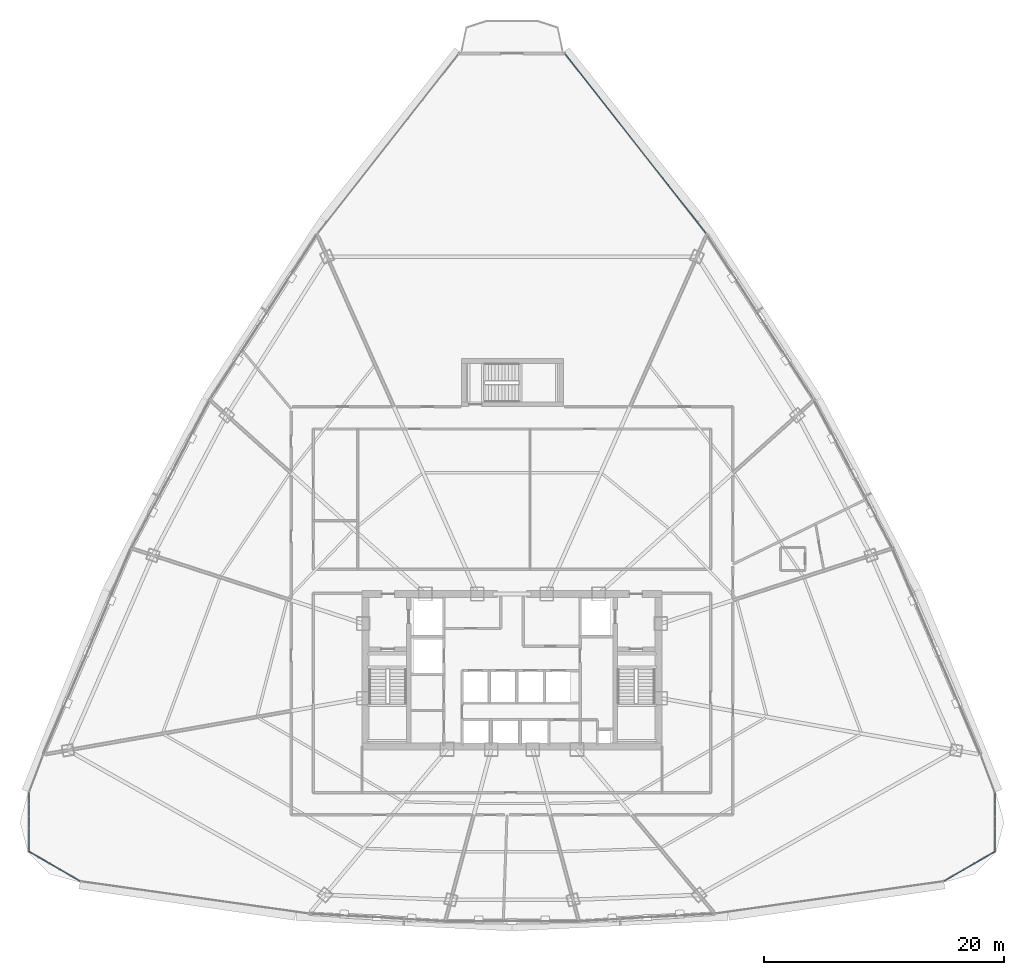
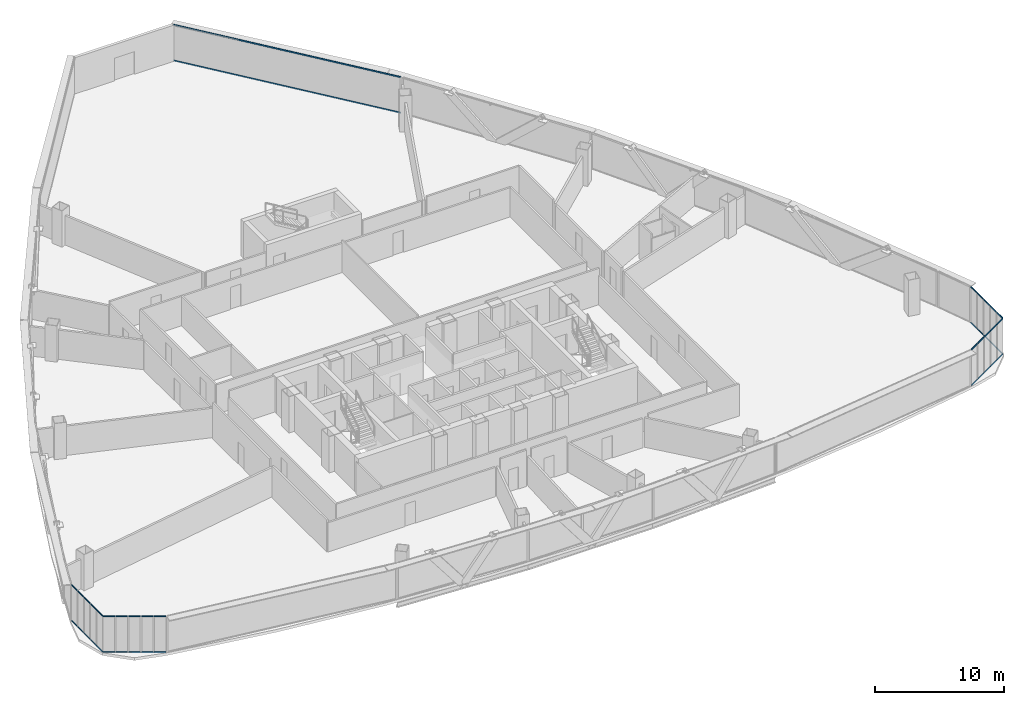
# One storey, part 30 of 42: 42 members, 5 elements without a shape of their own.
"""IFC4 building model written with IfcOpenShell, lengths in metres."""

import ifcopenshell
import ifcopenshell.guid

model = None  # the IFC model being written
_history = None  # IfcOwnerHistory: only IFC2X3 demands one
_inside = {}  # id of a spatial element -> (the spatial element, [elements in it])
_under = {}  # id of a project, library or spatial element -> (it, [spatial elements below it])
_declared = {}  # id of a project -> (the project, [libraries it declares])
_typed = {}  # id of a type object -> (the type object, [elements of that type])
_made_of = {}  # id of a material, layer set ... -> (it, [elements and type objects made of it])


def new_model(schema):
    """Start an empty IFC model of exactly this schema.

    Asked for "IFC4X3", IfcOpenShell would pick the latest addendum, in which some entities
    have other attributes; the version numbers below select the first issue.
    IFC2X3 requires an IfcOwnerHistory on every rooted entity: one is made here for all.
    """
    global model, _history
    if schema == "IFC4X3":
        model = ifcopenshell.file(schema_version=(4, 3, 0, 0))
    else:
        model = ifcopenshell.file(schema=schema)
    _inside.clear()
    _under.clear()
    _declared.clear()
    _typed.clear()
    _made_of.clear()
    _history = None
    if model.schema == "IFC2X3":
        org = make("IfcOrganization", Name="unknown")
        user = make(
            "IfcPersonAndOrganization",
            ThePerson=make("IfcPerson", FamilyName="unknown"),
            TheOrganization=org,
        )
        app = make(
            "IfcApplication",
            ApplicationDeveloper=org,
            Version="unknown",
            ApplicationFullName="unknown",
            ApplicationIdentifier="unknown",
        )
        _history = make(
            "IfcOwnerHistory",
            OwningUser=user,
            OwningApplication=app,
            ChangeAction="ADDED",
            CreationDate=0,
        )
    return model


def make(cls, **values):
    """One entity of the class cls with the attributes given. An attribute that is None is left unset."""
    return model.create_entity(
        cls, **{name: value for name, value in values.items() if value is not None}
    )


def rooted(cls, **values):
    """An entity with a GlobalId (a new one), such as an element, a storey or a relation."""
    return make(cls, GlobalId=ifcopenshell.guid.new(), OwnerHistory=_history, **values)


def si_unit(unit_type, name, prefix=None):
    """IfcSIUnit, for example si_unit("LENGTHUNIT", "METRE", prefix="MILLI")."""
    return make("IfcSIUnit", UnitType=unit_type, Prefix=prefix, Name=name)


def assignment(units):
    """IfcUnitAssignment: the units of a project."""
    return None if units is None else make("IfcUnitAssignment", Units=units)


def point(xyz):
    """IfcCartesianPoint."""
    return None if xyz is None else make("IfcCartesianPoint", Coordinates=xyz)


def direction(xyz):
    """IfcDirection."""
    return None if xyz is None else make("IfcDirection", DirectionRatios=xyz)


def frame(location, z_axis=None, x_axis=None):
    """IfcAxis2Placement3D, a coordinate frame: its origin and axes. An axis left out is left unset."""
    return make(
        "IfcAxis2Placement3D",
        Location=point(location),
        Axis=direction(z_axis),
        RefDirection=direction(x_axis),
    )


def frame_2d(location, x_axis=None):
    """IfcAxis2Placement2D, a coordinate frame in the plane: its origin and x axis."""
    return make(
        "IfcAxis2Placement2D", Location=point(location), RefDirection=direction(x_axis)
    )


def origin():
    """The frame at (0, 0, 0) with its axes left unset."""
    return frame((0.0, 0.0, 0.0))


def origin_2d():
    """The frame at (0, 0) in the plane with its x axis left unset."""
    return frame_2d((0.0, 0.0))


def place(relative_to, where):
    """IfcLocalPlacement: puts the frame where relative to a parent placement (None: the world)."""
    return make(
        "IfcLocalPlacement", PlacementRelTo=relative_to, RelativePlacement=where
    )


def context(
    kind, dimensions, precision=None, world=None, true_north=None, identifier=None
):
    """IfcGeometricRepresentationContext, for example the 3D "Model" context."""
    return make(
        "IfcGeometricRepresentationContext",
        ContextIdentifier=identifier,
        ContextType=kind,
        CoordinateSpaceDimension=dimensions,
        Precision=precision,
        WorldCoordinateSystem=world,
        TrueNorth=true_north,
    )


def subcontext(parent, identifier, kind, view, scale=None):
    """IfcGeometricRepresentationSubContext, for example "Body" below "Model"."""
    return make(
        "IfcGeometricRepresentationSubContext",
        ContextIdentifier=identifier,
        ContextType=kind,
        ParentContext=parent,
        TargetScale=scale,
        TargetView=view,
    )


def project(units=None, contexts=None):
    """IfcProject with its units and contexts."""
    return rooted(
        "IfcProject",
        Name="project",
        RepresentationContexts=contexts,
        UnitsInContext=assignment(units),
    )


def spatial(cls, under=None, at=None, **own):
    """A site, building, storey or space (cls), placed at a placement, below another one or the project."""
    s = rooted(cls, ObjectPlacement=at, **own)
    if under is not None:
        _under.setdefault(under.id(), (under, []))[1].append(s)
    return s


def profile(cls, at=None, kind="AREA", **sizes):
    """A parametric profile (cls). Its sizes go by their IFC names, for example OverallWidth=200.0."""
    return make(cls, ProfileType=kind, Position=at, **sizes)


def hollow_rectangle(**sizes):
    """IfcRectangleHollowProfileDef."""
    return profile("IfcRectangleHollowProfileDef", **sizes)


def extrude(swept, where, along, depth):
    """IfcExtrudedAreaSolid: the profile swept, set in the frame where, extruded along a direction by depth."""
    return make(
        "IfcExtrudedAreaSolid",
        SweptArea=swept,
        Position=where,
        ExtrudedDirection=direction(along),
        Depth=depth,
    )


def shape(context_of_items, identifier, shape_type, items):
    """IfcShapeRepresentation: the items that make up one representation, for example the "Body"."""
    return make(
        "IfcShapeRepresentation",
        ContextOfItems=context_of_items,
        RepresentationIdentifier=identifier,
        RepresentationType=shape_type,
        Items=items,
    )


def source(mapping_origin, context_of_items, identifier, shape_type, items):
    """IfcRepresentationMap: a shape defined once, which mapped items show again and again."""
    return make(
        "IfcRepresentationMap",
        MappingOrigin=mapping_origin,
        MappedRepresentation=shape(context_of_items, identifier, shape_type, items),
    )


def transform(
    local_origin,
    x_axis=None,
    y_axis=None,
    z_axis=None,
    scale=None,
    scale2=None,
    scale3=None,
    uniform=True,
):
    """IfcCartesianTransformationOperator3D, or its non-uniform kind. x_axis, y_axis, z_axis: its Axis1, 2, 3."""
    if uniform:
        return make(
            "IfcCartesianTransformationOperator3D",
            Axis1=direction(x_axis),
            Axis2=direction(y_axis),
            LocalOrigin=point(local_origin),
            Scale=scale,
            Axis3=direction(z_axis),
        )
    return make(
        "IfcCartesianTransformationOperator3DnonUniform",
        Axis1=direction(x_axis),
        Axis2=direction(y_axis),
        LocalOrigin=point(local_origin),
        Scale=scale,
        Axis3=direction(z_axis),
        Scale2=scale2,
        Scale3=scale3,
    )


def mapped(mapping_source, mapping_target):
    """IfcMappedItem: shows the shape of a source again, moved by a transform."""
    return make(
        "IfcMappedItem", MappingSource=mapping_source, MappingTarget=mapping_target
    )


def material(Name=None, Category=None):
    """IfcMaterial."""
    return make("IfcMaterial", Name=Name, Category=Category)


def layer(
    of_material, thickness, ventilated=None, Name=None, Category=None, Priority=None
):
    """IfcMaterialLayer: one layer of a wall or slab, of a material (None: an air gap)."""
    return make(
        "IfcMaterialLayer",
        Material=of_material,
        LayerThickness=thickness,
        IsVentilated=ventilated,
        Name=Name,
        Category=Category,
        Priority=Priority,
    )


def layer_set(layers, Name=None):
    """IfcMaterialLayerSet."""
    return make("IfcMaterialLayerSet", MaterialLayers=layers, LayerSetName=Name)


def material_profile(
    of_material, cross_section, Name=None, Category=None, Priority=None
):
    """IfcMaterialProfile: a cross section and its material."""
    return make(
        "IfcMaterialProfile",
        Name=Name,
        Material=of_material,
        Profile=cross_section,
        Priority=Priority,
        Category=Category,
    )


def profile_set(profiles, Name=None, composite=None):
    """IfcMaterialProfileSet."""
    return make(
        "IfcMaterialProfileSet",
        Name=Name,
        MaterialProfiles=profiles,
        CompositeProfile=composite,
    )


def made_of(thing, what):
    """Note that an element or type object is made of a material, layer set ...; save() writes the relation."""
    if what is not None:
        _made_of.setdefault(what.id(), (what, []))[1].append(thing)
    return thing


def type_object(cls, material=None, **own):
    """A type object (cls), such as IfcWallType, which elements share."""
    return made_of(rooted(cls, **own), material)


def element(
    cls,
    number,
    at=None,
    inside=None,
    cuts=None,
    type_object=None,
    material=None,
    context=None,
    identifier="Body",
    shape_type=None,
    held_by="IfcProductDefinitionShape",
    body=None,
    shapes=None,
    **own,
):
    """One element of the class cls, such as IfcWall. Its Tag is "e" and its number.

    at: its placement. inside: the storey or other place that contains it. cuts: it is an
    opening in that element (IfcRelVoidsElement). A single representation is given by context,
    identifier, shape_type and body (its items); several are given by shapes. held_by: the class
    of the entity that holds the representations. save() writes the other relations.
    """
    e = rooted(cls, Tag="e%d" % number, ObjectPlacement=at, **own)
    if body is not None:
        shapes = [shape(context, identifier, shape_type, body)]
    if shapes is not None:
        e.Representation = make(held_by, Representations=shapes)
    if inside is not None:
        _inside.setdefault(inside.id(), (inside, []))[1].append(e)
    if cuts is not None:
        rooted(
            "IfcRelVoidsElement", RelatingBuildingElement=cuts, RelatedOpeningElement=e
        )
    if type_object is not None:
        _typed.setdefault(type_object.id(), (type_object, []))[1].append(e)
    return made_of(e, material)


def aggregate(whole, parts):
    """IfcRelAggregates: a whole, such as a stair, and the parts it consists of."""
    return rooted("IfcRelAggregates", RelatingObject=whole, RelatedObjects=parts)


def save(model, path):
    """Write the relations noted so far, then the file.

    IfcRelAggregates (storeys below a building ...), IfcRelContainedInSpatialStructure (elements
    in a storey), IfcRelDefinesByType, IfcRelAssociatesMaterial and IfcRelDeclares: one each for
    every whole, place, type object, material and project.
    """
    for whole, parts in _under.values():
        aggregate(whole, parts)
    for where, things in _inside.values():
        rooted(
            "IfcRelContainedInSpatialStructure",
            RelatedElements=things,
            RelatingStructure=where,
        )
    for kind, things in _typed.values():
        rooted("IfcRelDefinesByType", RelatedObjects=things, RelatingType=kind)
    for what, things in _made_of.values():
        rooted("IfcRelAssociatesMaterial", RelatedObjects=things, RelatingMaterial=what)
    for by, libraries in _declared.values():
        rooted("IfcRelDeclares", RelatingContext=by, RelatedDefinitions=libraries)
    model.write(path)


model = new_model("IFC4")

# Units and contexts
model_context = context("Model", 3, precision=1e-05, world=origin(), true_north=direction((0.0, 1.0)))
body_context = subcontext(model_context, "Body", "Model", "MODEL_VIEW")
ifc_project = project(units=[si_unit("LENGTHUNIT", "METRE"), si_unit("AREAUNIT", "SQUARE_METRE"), si_unit("VOLUMEUNIT", "CUBIC_METRE"), si_unit("PLANEANGLEUNIT", "RADIAN"), si_unit("MASSUNIT", "GRAM", prefix="KILO"), si_unit("THERMODYNAMICTEMPERATUREUNIT", "KELVIN"), si_unit("POWERUNIT", "WATT")], contexts=[model_context])

# Site, building, storey
site_placement = place(None, origin())
site = spatial("IfcSite", under=ifc_project, at=site_placement, CompositionType="ELEMENT")
building_placement = place(site_placement, origin())
building = spatial("IfcBuilding", under=site, at=building_placement, Name="Yunzhuo Pagoda Commons", CompositionType="ELEMENT")
storey_placement = place(building_placement, frame((0.0, 0.0, 137.18994140625)))
storey = spatial("IfcBuildingStorey", under=building, at=storey_placement, Name="L34", CompositionType="ELEMENT", Elevation=137.18994140625)

# Curtain wall, members
ifc_material = material(Name="Anodized aluminium 6063-T6", Category="aluminium")
ifc_layer_1 = layer(ifc_material, 0.14990234375)
ifc_layer_set_1 = layer_set([ifc_layer_1], Name="Anodized aluminium 6063-T6")
curtain_wall_type_1 = type_object("IfcCurtainWallType", Name="CW-MID Mid-Zone Ribbon Curtain Wall", PredefinedType="NOTDEFINED", material=ifc_layer_set_1)
curtain_wall_1_placement = place(storey_placement, origin())
curtain_wall_1 = element("IfcCurtainWall", 1, at=curtain_wall_1_placement, inside=storey, type_object=curtain_wall_type_1, Name="L34 curtain wall CW-L34-F2B5", PredefinedType="NOTDEFINED")
ifc_material_profile_1 = material_profile(ifc_material, hollow_rectangle(XDim=0.054931640625, YDim=0.1298828125, WallThickness=0.00341796875, at=origin_2d()), Name="Anodized aluminium 6063-T6")
ifc_profile_set_1 = profile_set([ifc_material_profile_1], Name="Anodized aluminium 6063-T6")
member_type_1 = type_object("IfcMemberType", Name="CW-MID-T Transom RHS 130x55x3.5", PredefinedType="USERDEFINED", material=ifc_profile_set_1)
shared_shape_1 = source(origin(), body_context, "Body", "SweptSolid", [
    extrude(hollow_rectangle(XDim=0.054931640625, YDim=0.1298828125, WallThickness=0.00341796875, at=origin_2d()), origin(), (0.0, 0.0, 1.0), 18.9765625),
])
member_1_placement = place(storey_placement, frame((64.1513671875, 70.269775390625, 0.027587890625), z_axis=(-0.617497065847, 0.786573183925, 0.0), x_axis=(-0.786573183925, -0.617497065847, 0.0)))
member_1 = element("IfcMember", 2, at=member_1_placement, type_object=member_type_1, Name="CW transom 1.1", ObjectType="TRANSOM", PredefinedType="USERDEFINED", context=body_context, shape_type="MappedRepresentation", body=[
    mapped(shared_shape_1, transform((0.0, 0.0, 0.0), scale=1.0)),
])
member_2_placement = place(storey_placement, frame((64.1513671875, 70.269775390625, 3.392822265625), z_axis=(-0.617497065847, 0.786573183925, 0.0), x_axis=(-0.786573183925, -0.617497065847, 0.0)))
member_2 = element("IfcMember", 3, at=member_2_placement, type_object=member_type_1, Name="CW transom 1.2", ObjectType="TRANSOM", PredefinedType="USERDEFINED", context=body_context, shape_type="MappedRepresentation", body=[
    mapped(shared_shape_1, transform((0.0, 0.0, 0.0), scale=1.0)),
])
aggregate(curtain_wall_1, [member_1, member_2])

ifc_layer_2 = layer(ifc_material, 0.1298828125)
ifc_layer_set_2 = layer_set([ifc_layer_2], Name="Anodized aluminium 6063-T6")
curtain_wall_type_2 = type_object("IfcCurtainWallType", Name="CW-VTX Rounded Corner Curtain Wall", PredefinedType="NOTDEFINED", material=ifc_layer_set_2)
curtain_wall_2_placement = place(storey_placement, origin())
curtain_wall_2 = element("IfcCurtainWall", 4, at=curtain_wall_2_placement, inside=storey, type_object=curtain_wall_type_2, Name="L34 curtain wall CW-L34-VTX1S1", PredefinedType="NOTDEFINED")
ifc_material_profile_2 = material_profile(ifc_material, hollow_rectangle(XDim=0.054931640625, YDim=0.1201171875, WallThickness=0.00341796875, at=origin_2d()), Name="Anodized aluminium 6063-T6")
ifc_profile_set_2 = profile_set([ifc_material_profile_2], Name="Anodized aluminium 6063-T6")
member_type_2 = type_object("IfcMemberType", Name="CW-VTX-T Transom RHS 120x55x3.5", PredefinedType="USERDEFINED", material=ifc_profile_set_2)
shared_shape_2 = source(origin(), body_context, "Body", "SweptSolid", [
    extrude(hollow_rectangle(XDim=0.054931640625, YDim=0.1201171875, WallThickness=0.00341796875, at=origin_2d()), origin(), (0.0, 0.0, 1.0), 0.915771484375),
])
member_3_placement = place(storey_placement, frame((7.766357421875, 23.625732421875, 0.027587890625), z_axis=(-0.003465721655, -0.999993994369, 0.0), x_axis=(0.999993994369, -0.003465721655, 0.0)))
member_3 = element("IfcMember", 5, at=member_3_placement, type_object=member_type_2, Name="CW transom 1.1", ObjectType="TRANSOM", PredefinedType="USERDEFINED", context=body_context, shape_type="MappedRepresentation", body=[
    mapped(shared_shape_2, transform((0.0, 0.0, 0.0), scale=1.0)),
])
member_4_placement = place(storey_placement, frame((7.766357421875, 23.625732421875, 3.392822265625), z_axis=(-0.003465721655, -0.999993994369, 0.0), x_axis=(0.999993994369, -0.003465721655, 0.0)))
member_4 = element("IfcMember", 6, at=member_4_placement, type_object=member_type_2, Name="CW transom 1.2", ObjectType="TRANSOM", PredefinedType="USERDEFINED", context=body_context, shape_type="MappedRepresentation", body=[
    mapped(shared_shape_2, transform((0.0, 0.0, 0.0), scale=1.0)),
])

curtain_wall_3_placement = place(storey_placement, origin())
curtain_wall_3 = element("IfcCurtainWall", 7, at=curtain_wall_3_placement, inside=storey, type_object=curtain_wall_type_2, Name="L34 curtain wall CW-L34-VTX1S2", PredefinedType="NOTDEFINED")
member_5_placement = place(storey_placement, frame((7.75634765625, 18.73193359375, 0.027587890625), z_axis=(0.865341097906, -0.501183383877, 0.0), x_axis=(0.501183383877, 0.865341097906, 0.0)))
member_5 = element("IfcMember", 8, at=member_5_placement, type_object=member_type_2, Name="CW transom 1.1", ObjectType="TRANSOM", PredefinedType="USERDEFINED", context=body_context, shape_type="MappedRepresentation", body=[
    mapped(shared_shape_2, transform((0.0, 0.0, 0.0), scale=1.0)),
])
member_6_placement = place(storey_placement, frame((7.75634765625, 18.73193359375, 3.392822265625), z_axis=(0.865341097906, -0.501183383877, 0.0), x_axis=(0.501183383877, 0.865341097906, 0.0)))
member_6 = element("IfcMember", 9, at=member_6_placement, type_object=member_type_2, Name="CW transom 1.2", ObjectType="TRANSOM", PredefinedType="USERDEFINED", context=body_context, shape_type="MappedRepresentation", body=[
    mapped(shared_shape_2, transform((0.0, 0.0, 0.0), scale=1.0)),
])
member_7_placement = place(storey_placement, frame((11.18798828125, 16.7451171875, 0.027587890625), z_axis=(0.865456707617, -0.500983719536, 0.0), x_axis=(0.500983719536, 0.865456707617, 0.0)))
member_7 = element("IfcMember", 10, at=member_7_placement, type_object=member_type_2, Name="CW transom 5.1", ObjectType="TRANSOM", PredefinedType="USERDEFINED", context=body_context, shape_type="MappedRepresentation", body=[
    mapped(shared_shape_2, transform((0.0, 0.0, 0.0), scale=1.0)),
])
member_8_placement = place(storey_placement, frame((11.18798828125, 16.7451171875, 3.392822265625), z_axis=(0.865456707617, -0.500983719536, 0.0), x_axis=(0.500983719536, 0.865456707617, 0.0)))
member_8 = element("IfcMember", 11, at=member_8_placement, type_object=member_type_2, Name="CW transom 5.2", ObjectType="TRANSOM", PredefinedType="USERDEFINED", context=body_context, shape_type="MappedRepresentation", body=[
    mapped(shared_shape_2, transform((0.0, 0.0, 0.0), scale=1.0)),
])

curtain_wall_4_placement = place(storey_placement, origin())
curtain_wall_4 = element("IfcCurtainWall", 12, at=curtain_wall_4_placement, inside=storey, type_object=curtain_wall_type_2, Name="L34 curtain wall CW-L34-VTX2S1", PredefinedType="NOTDEFINED")
member_9_placement = place(storey_placement, frame((84.01953125, 16.286376953125, 0.027587890625), z_axis=(0.865456707617, 0.500983719536, 0.0), x_axis=(-0.500983719536, 0.865456707617, 0.0)))
member_9 = element("IfcMember", 13, at=member_9_placement, type_object=member_type_2, Name="CW transom 1.1", ObjectType="TRANSOM", PredefinedType="USERDEFINED", context=body_context, shape_type="MappedRepresentation", body=[
    mapped(shared_shape_2, transform((0.0, 0.0, 0.0), scale=1.0)),
])
member_10_placement = place(storey_placement, frame((84.01953125, 16.286376953125, 3.392822265625), z_axis=(0.865456707617, 0.500983719536, 0.0), x_axis=(-0.500983719536, 0.865456707617, 0.0)))
member_10 = element("IfcMember", 14, at=member_10_placement, type_object=member_type_2, Name="CW transom 1.2", ObjectType="TRANSOM", PredefinedType="USERDEFINED", context=body_context, shape_type="MappedRepresentation", body=[
    mapped(shared_shape_2, transform((0.0, 0.0, 0.0), scale=1.0)),
])
member_11_placement = place(storey_placement, frame((87.451171875, 18.27294921875, 0.027587890625), z_axis=(0.865341097906, 0.501183383877, 0.0), x_axis=(-0.501183383877, 0.865341097906, 0.0)))
member_11 = element("IfcMember", 15, at=member_11_placement, type_object=member_type_2, Name="CW transom 5.1", ObjectType="TRANSOM", PredefinedType="USERDEFINED", context=body_context, shape_type="MappedRepresentation", body=[
    mapped(shared_shape_2, transform((0.0, 0.0, 0.0), scale=1.0)),
])
member_12_placement = place(storey_placement, frame((87.451171875, 18.27294921875, 3.392822265625), z_axis=(0.865341097906, 0.501183383877, 0.0), x_axis=(-0.501183383877, 0.865341097906, 0.0)))
member_12 = element("IfcMember", 16, at=member_12_placement, type_object=member_type_2, Name="CW transom 5.2", ObjectType="TRANSOM", PredefinedType="USERDEFINED", context=body_context, shape_type="MappedRepresentation", body=[
    mapped(shared_shape_2, transform((0.0, 0.0, 0.0), scale=1.0)),
])

curtain_wall_5_placement = place(storey_placement, origin())
curtain_wall_5 = element("IfcCurtainWall", 17, at=curtain_wall_5_placement, inside=storey, type_object=curtain_wall_type_2, Name="L34 curtain wall CW-L34-VTX2S2", PredefinedType="NOTDEFINED")
member_13_placement = place(storey_placement, frame((88.23681640625, 22.7099609375, 0.027587890625), z_axis=(-0.003465721655, 0.999993994369, 0.0), x_axis=(-0.999993994369, -0.003465721655, 0.0)))
member_13 = element("IfcMember", 18, at=member_13_placement, type_object=member_type_2, Name="CW transom 5.1", ObjectType="TRANSOM", PredefinedType="USERDEFINED", context=body_context, shape_type="MappedRepresentation", body=[
    mapped(shared_shape_2, transform((0.0, 0.0, 0.0), scale=1.0)),
])
member_14_placement = place(storey_placement, frame((88.23681640625, 22.7099609375, 3.392822265625), z_axis=(-0.003465721655, 0.999993994369, 0.0), x_axis=(-0.999993994369, -0.003465721655, 0.0)))
member_14 = element("IfcMember", 19, at=member_14_placement, type_object=member_type_2, Name="CW transom 5.2", ObjectType="TRANSOM", PredefinedType="USERDEFINED", context=body_context, shape_type="MappedRepresentation", body=[
    mapped(shared_shape_2, transform((0.0, 0.0, 0.0), scale=1.0)),
])

# Member
shared_shape_3 = source(origin(), body_context, "Body", "SweptSolid", [
    extrude(hollow_rectangle(XDim=0.054931640625, YDim=0.1201171875, WallThickness=0.00341796875, at=origin_2d()), origin(), (0.0, 0.0, 1.0), 0.943115234375),
])
member_15_placement = place(storey_placement, frame((7.76318359375, 22.655029296875, 0.027587890625), z_axis=(-0.003624102527, -0.999993432919, 0.0), x_axis=(0.999993432919, -0.003624102527, 0.0)))
member_15 = element("IfcMember", 20, at=member_15_placement, type_object=member_type_2, Name="CW transom 2.1", ObjectType="TRANSOM", PredefinedType="USERDEFINED", context=body_context, shape_type="MappedRepresentation", body=[
    mapped(shared_shape_3, transform((0.0, 0.0, 0.0), scale=1.0)),
])

member_16_placement = place(storey_placement, frame((7.76318359375, 22.655029296875, 3.392822265625), z_axis=(-0.003624102527, -0.999993432919, 0.0), x_axis=(0.999993432919, -0.003624102527, 0.0)))
member_16 = element("IfcMember", 21, at=member_16_placement, type_object=member_type_2, Name="CW transom 2.2", ObjectType="TRANSOM", PredefinedType="USERDEFINED", context=body_context, shape_type="MappedRepresentation", body=[
    mapped(shared_shape_3, transform((0.0, 0.0, 0.0), scale=1.0)),
])

member_17_placement = place(storey_placement, frame((7.755859375, 20.65869140625, 0.027587890625), z_axis=(-0.003624102527, -0.999993432919, 0.0), x_axis=(0.999993432919, -0.003624102527, 0.0)))
member_17 = element("IfcMember", 22, at=member_17_placement, type_object=member_type_2, Name="CW transom 4.1", ObjectType="TRANSOM", PredefinedType="USERDEFINED", context=body_context, shape_type="MappedRepresentation", body=[
    mapped(shared_shape_3, transform((0.0, 0.0, 0.0), scale=1.0)),
])

member_18_placement = place(storey_placement, frame((7.755859375, 20.65869140625, 3.392822265625), z_axis=(-0.003624102527, -0.999993432919, 0.0), x_axis=(0.999993432919, -0.003624102527, 0.0)))
member_18 = element("IfcMember", 23, at=member_18_placement, type_object=member_type_2, Name="CW transom 4.2", ObjectType="TRANSOM", PredefinedType="USERDEFINED", context=body_context, shape_type="MappedRepresentation", body=[
    mapped(shared_shape_3, transform((0.0, 0.0, 0.0), scale=1.0)),
])

member_19_placement = place(storey_placement, frame((8.5966796875, 18.245849609375, 0.027587890625), z_axis=(0.865183952342, -0.501454612713, 0.0), x_axis=(0.501454612713, 0.865183952342, 0.0)))
member_19 = element("IfcMember", 24, at=member_19_placement, type_object=member_type_2, Name="CW transom 2.1", ObjectType="TRANSOM", PredefinedType="USERDEFINED", context=body_context, shape_type="MappedRepresentation", body=[
    mapped(shared_shape_3, transform((0.0, 0.0, 0.0), scale=1.0)),
])

member_20_placement = place(storey_placement, frame((8.5966796875, 18.245849609375, 3.392822265625), z_axis=(0.865183952342, -0.501454612713, 0.0), x_axis=(0.501454612713, 0.865183952342, 0.0)))
member_20 = element("IfcMember", 25, at=member_20_placement, type_object=member_type_2, Name="CW transom 2.2", ObjectType="TRANSOM", PredefinedType="USERDEFINED", context=body_context, shape_type="MappedRepresentation", body=[
    mapped(shared_shape_3, transform((0.0, 0.0, 0.0), scale=1.0)),
])

member_21_placement = place(storey_placement, frame((10.32421875, 17.245361328125, 0.027587890625), z_axis=(0.865361295252, -0.501148509605, 0.0), x_axis=(0.501148509605, 0.865361295252, 0.0)))
member_21 = element("IfcMember", 26, at=member_21_placement, type_object=member_type_2, Name="CW transom 4.1", ObjectType="TRANSOM", PredefinedType="USERDEFINED", context=body_context, shape_type="MappedRepresentation", body=[
    mapped(shared_shape_3, transform((0.0, 0.0, 0.0), scale=1.0)),
])

member_22_placement = place(storey_placement, frame((10.32421875, 17.245361328125, 3.392822265625), z_axis=(0.865361295252, -0.501148509605, 0.0), x_axis=(0.501148509605, 0.865361295252, 0.0)))
member_22 = element("IfcMember", 27, at=member_22_placement, type_object=member_type_2, Name="CW transom 4.2", ObjectType="TRANSOM", PredefinedType="USERDEFINED", context=body_context, shape_type="MappedRepresentation", body=[
    mapped(shared_shape_3, transform((0.0, 0.0, 0.0), scale=1.0)),
])

member_23_placement = place(storey_placement, frame((84.859619140625, 16.772705078125, 0.027587890625), z_axis=(0.865361295252, 0.501148509605, 0.0), x_axis=(-0.501148509605, 0.865361295252, 0.0)))
member_23 = element("IfcMember", 28, at=member_23_placement, type_object=member_type_2, Name="CW transom 2.1", ObjectType="TRANSOM", PredefinedType="USERDEFINED", context=body_context, shape_type="MappedRepresentation", body=[
    mapped(shared_shape_3, transform((0.0, 0.0, 0.0), scale=1.0)),
])

member_24_placement = place(storey_placement, frame((84.859619140625, 16.772705078125, 3.392822265625), z_axis=(0.865361295252, 0.501148509605, 0.0), x_axis=(-0.501148509605, 0.865361295252, 0.0)))
member_24 = element("IfcMember", 29, at=member_24_placement, type_object=member_type_2, Name="CW transom 2.2", ObjectType="TRANSOM", PredefinedType="USERDEFINED", context=body_context, shape_type="MappedRepresentation", body=[
    mapped(shared_shape_3, transform((0.0, 0.0, 0.0), scale=1.0)),
])

member_25_placement = place(storey_placement, frame((88.24755859375, 19.715576171875, 0.027587890625), z_axis=(-0.003624102527, 0.999993432919, 0.0), x_axis=(-0.999993432919, -0.003624102527, 0.0)))
member_25 = element("IfcMember", 30, at=member_25_placement, type_object=member_type_2, Name="CW transom 2.1", ObjectType="TRANSOM", PredefinedType="USERDEFINED", context=body_context, shape_type="MappedRepresentation", body=[
    mapped(shared_shape_3, transform((0.0, 0.0, 0.0), scale=1.0)),
])

member_26_placement = place(storey_placement, frame((88.24755859375, 19.715576171875, 3.392822265625), z_axis=(-0.003624102527, 0.999993432919, 0.0), x_axis=(-0.999993432919, -0.003624102527, 0.0)))
member_26 = element("IfcMember", 31, at=member_26_placement, type_object=member_type_2, Name="CW transom 2.2", ObjectType="TRANSOM", PredefinedType="USERDEFINED", context=body_context, shape_type="MappedRepresentation", body=[
    mapped(shared_shape_3, transform((0.0, 0.0, 0.0), scale=1.0)),
])

member_27_placement = place(storey_placement, frame((88.24072265625, 21.7119140625, 0.027587890625), z_axis=(-0.003624102527, 0.999993432919, 0.0), x_axis=(-0.999993432919, -0.003624102527, 0.0)))
member_27 = element("IfcMember", 32, at=member_27_placement, type_object=member_type_2, Name="CW transom 4.1", ObjectType="TRANSOM", PredefinedType="USERDEFINED", context=body_context, shape_type="MappedRepresentation", body=[
    mapped(shared_shape_3, transform((0.0, 0.0, 0.0), scale=1.0)),
])

member_28_placement = place(storey_placement, frame((88.24072265625, 21.7119140625, 3.392822265625), z_axis=(-0.003624102527, 0.999993432919, 0.0), x_axis=(-0.999993432919, -0.003624102527, 0.0)))
member_28 = element("IfcMember", 33, at=member_28_placement, type_object=member_type_2, Name="CW transom 4.2", ObjectType="TRANSOM", PredefinedType="USERDEFINED", context=body_context, shape_type="MappedRepresentation", body=[
    mapped(shared_shape_3, transform((0.0, 0.0, 0.0), scale=1.0)),
])

shared_shape_4 = source(origin(), body_context, "Body", "SweptSolid", [
    extrude(hollow_rectangle(XDim=0.054931640625, YDim=0.1201171875, WallThickness=0.00341796875, at=origin_2d()), origin(), (0.0, 0.0, 1.0), 0.943359375),
])
member_29_placement = place(storey_placement, frame((7.75927734375, 21.656982421875, 0.027587890625), z_axis=(-0.003623164624, -0.999993436318, 0.0), x_axis=(0.999993436318, -0.003623164624, 0.0)))
member_29 = element("IfcMember", 34, at=member_29_placement, type_object=member_type_2, Name="CW transom 3.1", ObjectType="TRANSOM", PredefinedType="USERDEFINED", context=body_context, shape_type="MappedRepresentation", body=[
    mapped(shared_shape_4, transform((0.0, 0.0, 0.0), scale=1.0)),
])

member_30_placement = place(storey_placement, frame((7.75927734375, 21.656982421875, 3.392822265625), z_axis=(-0.003623164624, -0.999993436318, 0.0), x_axis=(0.999993436318, -0.003623164624, 0.0)))
member_30 = element("IfcMember", 35, at=member_30_placement, type_object=member_type_2, Name="CW transom 3.2", ObjectType="TRANSOM", PredefinedType="USERDEFINED", context=body_context, shape_type="MappedRepresentation", body=[
    mapped(shared_shape_4, transform((0.0, 0.0, 0.0), scale=1.0)),
])

member_31_placement = place(storey_placement, frame((9.460205078125, 17.745361328125, 0.027587890625), z_axis=(0.865426285481, -0.501036270542, 0.0), x_axis=(0.501036270542, 0.865426285481, 0.0)))
member_31 = element("IfcMember", 36, at=member_31_placement, type_object=member_type_2, Name="CW transom 3.1", ObjectType="TRANSOM", PredefinedType="USERDEFINED", context=body_context, shape_type="MappedRepresentation", body=[
    mapped(shared_shape_4, transform((0.0, 0.0, 0.0), scale=1.0)),
])

member_32_placement = place(storey_placement, frame((9.460205078125, 17.745361328125, 3.392822265625), z_axis=(0.865426285481, -0.501036270542, 0.0), x_axis=(0.501036270542, 0.865426285481, 0.0)))
member_32 = element("IfcMember", 37, at=member_32_placement, type_object=member_type_2, Name="CW transom 3.2", ObjectType="TRANSOM", PredefinedType="USERDEFINED", context=body_context, shape_type="MappedRepresentation", body=[
    mapped(shared_shape_4, transform((0.0, 0.0, 0.0), scale=1.0)),
])

aggregate(curtain_wall_3, [member_5, member_6, member_19, member_20, member_31, member_32, member_21, member_22, member_7, member_8])

member_33_placement = place(storey_placement, frame((85.723388671875, 17.272705078125, 0.027587890625), z_axis=(0.865426285481, 0.501036270542, 0.0), x_axis=(-0.501036270542, 0.865426285481, 0.0)))
member_33 = element("IfcMember", 38, at=member_33_placement, type_object=member_type_2, Name="CW transom 3.1", ObjectType="TRANSOM", PredefinedType="USERDEFINED", context=body_context, shape_type="MappedRepresentation", body=[
    mapped(shared_shape_4, transform((0.0, 0.0, 0.0), scale=1.0)),
])

member_34_placement = place(storey_placement, frame((85.723388671875, 17.272705078125, 3.392822265625), z_axis=(0.865426285481, 0.501036270542, 0.0), x_axis=(-0.501036270542, 0.865426285481, 0.0)))
member_34 = element("IfcMember", 39, at=member_34_placement, type_object=member_type_2, Name="CW transom 3.2", ObjectType="TRANSOM", PredefinedType="USERDEFINED", context=body_context, shape_type="MappedRepresentation", body=[
    mapped(shared_shape_4, transform((0.0, 0.0, 0.0), scale=1.0)),
])

member_35_placement = place(storey_placement, frame((86.58740234375, 17.77294921875, 0.027587890625), z_axis=(0.865314060194, 0.501230064173, 0.0), x_axis=(-0.501230064173, 0.865314060194, 0.0)))
member_35 = element("IfcMember", 40, at=member_35_placement, type_object=member_type_2, Name="CW transom 4.1", ObjectType="TRANSOM", PredefinedType="USERDEFINED", context=body_context, shape_type="MappedRepresentation", body=[
    mapped(shared_shape_4, transform((0.0, 0.0, 0.0), scale=1.0)),
])

member_36_placement = place(storey_placement, frame((86.58740234375, 17.77294921875, 3.392822265625), z_axis=(0.865314060194, 0.501230064173, 0.0), x_axis=(-0.501230064173, 0.865314060194, 0.0)))
member_36 = element("IfcMember", 41, at=member_36_placement, type_object=member_type_2, Name="CW transom 4.2", ObjectType="TRANSOM", PredefinedType="USERDEFINED", context=body_context, shape_type="MappedRepresentation", body=[
    mapped(shared_shape_4, transform((0.0, 0.0, 0.0), scale=1.0)),
])

aggregate(curtain_wall_4, [member_9, member_10, member_23, member_24, member_33, member_34, member_35, member_36, member_11, member_12])

member_37_placement = place(storey_placement, frame((88.244140625, 20.713623046875, 0.027587890625), z_axis=(-0.003623164624, 0.999993436318, 0.0), x_axis=(-0.999993436318, -0.003623164624, 0.0)))
member_37 = element("IfcMember", 42, at=member_37_placement, type_object=member_type_2, Name="CW transom 3.1", ObjectType="TRANSOM", PredefinedType="USERDEFINED", context=body_context, shape_type="MappedRepresentation", body=[
    mapped(shared_shape_4, transform((0.0, 0.0, 0.0), scale=1.0)),
])

member_38_placement = place(storey_placement, frame((88.244140625, 20.713623046875, 3.392822265625), z_axis=(-0.003623164624, 0.999993436318, 0.0), x_axis=(-0.999993436318, -0.003623164624, 0.0)))
member_38 = element("IfcMember", 43, at=member_38_placement, type_object=member_type_2, Name="CW transom 3.2", ObjectType="TRANSOM", PredefinedType="USERDEFINED", context=body_context, shape_type="MappedRepresentation", body=[
    mapped(shared_shape_4, transform((0.0, 0.0, 0.0), scale=1.0)),
])

shared_shape_5 = source(origin(), body_context, "Body", "SweptSolid", [
    extrude(hollow_rectangle(XDim=0.054931640625, YDim=0.1201171875, WallThickness=0.00341796875, at=origin_2d()), origin(), (0.0, 0.0, 1.0), 0.916015625),
])
member_39_placement = place(storey_placement, frame((7.752197265625, 19.660888671875, 0.027587890625), z_axis=(-0.003731317308, -0.999993038611, 0.0), x_axis=(0.999993038611, -0.003731317308, 0.0)))
member_39 = element("IfcMember", 44, at=member_39_placement, type_object=member_type_2, Name="CW transom 5.1", ObjectType="TRANSOM", PredefinedType="USERDEFINED", context=body_context, shape_type="MappedRepresentation", body=[
    mapped(shared_shape_5, transform((0.0, 0.0, 0.0), scale=1.0)),
])

member_40_placement = place(storey_placement, frame((7.752197265625, 19.660888671875, 3.392822265625), z_axis=(-0.003731317308, -0.999993038611, 0.0), x_axis=(0.999993038611, -0.003731317308, 0.0)))
member_40 = element("IfcMember", 45, at=member_40_placement, type_object=member_type_2, Name="CW transom 5.2", ObjectType="TRANSOM", PredefinedType="USERDEFINED", context=body_context, shape_type="MappedRepresentation", body=[
    mapped(shared_shape_5, transform((0.0, 0.0, 0.0), scale=1.0)),
])

aggregate(curtain_wall_2, [member_3, member_4, member_15, member_16, member_29, member_30, member_17, member_18, member_39, member_40])

member_41_placement = place(storey_placement, frame((88.251220703125, 18.744873046875, 0.027587890625), z_axis=(-0.003731317308, 0.999993038611, 0.0), x_axis=(-0.999993038611, -0.003731317308, 0.0)))
member_41 = element("IfcMember", 46, at=member_41_placement, type_object=member_type_2, Name="CW transom 1.1", ObjectType="TRANSOM", PredefinedType="USERDEFINED", context=body_context, shape_type="MappedRepresentation", body=[
    mapped(shared_shape_5, transform((0.0, 0.0, 0.0), scale=1.0)),
])

member_42_placement = place(storey_placement, frame((88.251220703125, 18.744873046875, 3.392822265625), z_axis=(-0.003731317308, 0.999993038611, 0.0), x_axis=(-0.999993038611, -0.003731317308, 0.0)))
member_42 = element("IfcMember", 47, at=member_42_placement, type_object=member_type_2, Name="CW transom 1.2", ObjectType="TRANSOM", PredefinedType="USERDEFINED", context=body_context, shape_type="MappedRepresentation", body=[
    mapped(shared_shape_5, transform((0.0, 0.0, 0.0), scale=1.0)),
])

aggregate(curtain_wall_5, [member_41, member_42, member_25, member_26, member_37, member_38, member_27, member_28, member_13, member_14])

save(model, "model.ifc")
